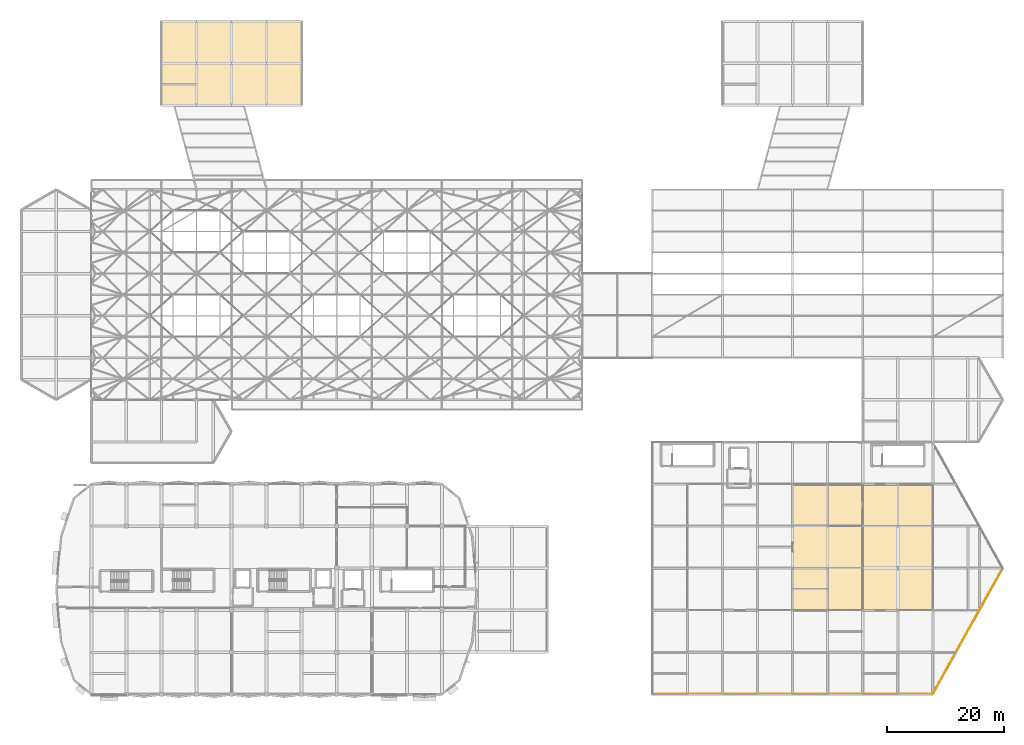
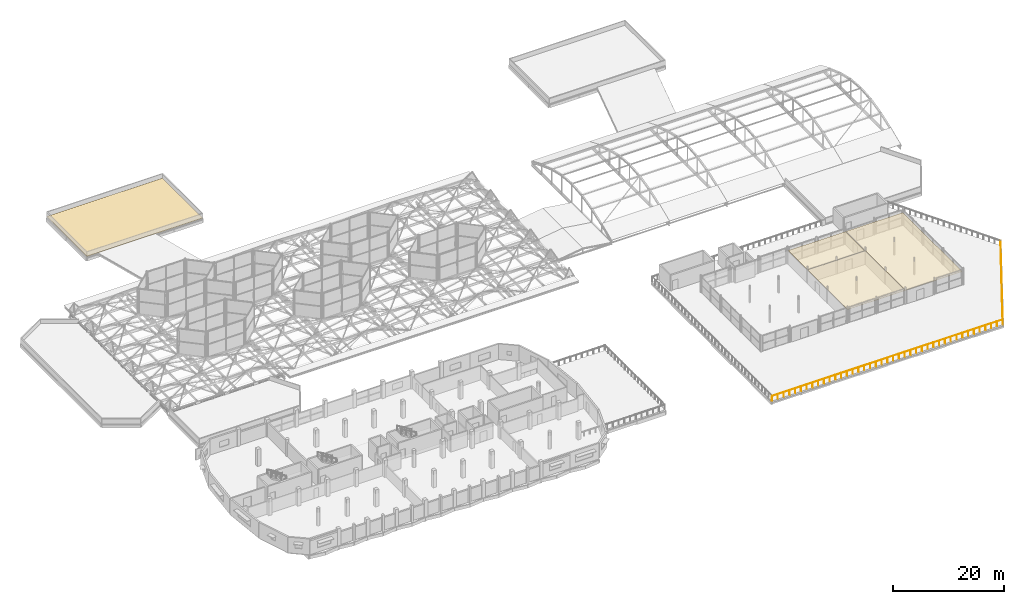
# One storey, part 238 of 239: 4 coverings, 2 railings.
"""IFC4 building model written with IfcOpenShell, lengths in metres."""

from ifc_helpers import new_model, si_unit, direction, frame, origin, origin_2d, place, context, subcontext, project, spatial, polyline, circle, outline, extrude, material, layer, layer_set, type_object, element, save


model = new_model("IFC4")

# Units and contexts
model_context = context("Model", 3, precision=1e-05, world=origin(), true_north=direction((0.0, 1.0)))
body_context = subcontext(model_context, "Body", "Model", "MODEL_VIEW")
ifc_project = project(units=[si_unit("LENGTHUNIT", "METRE"), si_unit("AREAUNIT", "SQUARE_METRE"), si_unit("VOLUMEUNIT", "CUBIC_METRE"), si_unit("PLANEANGLEUNIT", "RADIAN"), si_unit("MASSUNIT", "GRAM", prefix="KILO")], contexts=[model_context])

# Site, building, storey
site_placement = place(None, origin())
site = spatial("IfcSite", under=ifc_project, at=site_placement, CompositionType="ELEMENT")
building_placement = place(site_placement, origin())
building = spatial("IfcBuilding", under=site, at=building_placement, Name="Dunvalen Ferry Terminal", CompositionType="ELEMENT")
storey_placement = place(building_placement, frame((0.0, 0.0, 9.840087890625)))
storey = spatial("IfcBuildingStorey", under=building, at=storey_placement, Name="L02", CompositionType="ELEMENT", Elevation=9.840087890625)

# Covering
ifc_material_1 = material(Name="Standing-seam marine aluminium roofing", Category="aluminium")
ifc_layer_1 = layer(ifc_material_1, 0.080078125, Name="Standing-seam marine aluminium roofing")
ifc_layer_set_1 = layer_set([ifc_layer_1], Name="Standing-seam marine aluminium roofing")
covering_type_1 = type_object("IfcCoveringType", Name="ENV-COV-RFG01", PredefinedType="ROOFING", material=ifc_layer_set_1)
covering_1_placement = place(storey_placement, origin())
element("IfcCovering", 1, at=covering_1_placement, inside=storey, type_object=covering_type_1, Name="L02 Berth Pavilion 1 Standing-Seam Roof", PredefinedType="ROOFING", context=body_context, shape_type="SweptSolid", body=[
    extrude(outline(polyline([(24.0, 100.800048828125), (48.0, 100.800048828125), (48.0, 115.199951171875), (24.0, 115.199951171875), (24.0, 100.800048828125)])), origin(), (0.0, 0.0, 1.0), 0.079833984375),
])

# Railings
ifc_material_2 = material(Name="Marine grade 316 stainless steel", Category="steel")
railing_type = type_object("IfcRailingType", Name="ENV-RL-BAL112", PredefinedType="BALUSTRADE", material=ifc_material_2)
railing_1_placement = place(storey_placement, frame((108.050048828125, 0.050048828125, 0.0)))
element("IfcRailing", 2, at=railing_1_placement, inside=storey, type_object=railing_type, Name="L02 Outdoor Terrace Safety Guard GRD-PROM-S", PredefinedType="BALUSTRADE", context=body_context, shape_type="SweptSolid", body=[
    extrude(circle(Radius=0.02392578125, at=origin_2d()), frame((0.0, 0.0, 1.09619140625), z_axis=(1.0, 0.0, 0.0), x_axis=(0.0, 1.0, 0.0)), (0.0, 0.0, 1.0), 47.869873046875),
    extrude(circle(Radius=0.02099609375, at=origin_2d()), origin(), (0.0, 0.0, 1.0), 1.072021484375),
    extrude(circle(Radius=0.02099609375, at=origin_2d()), frame((1.19677734375, 0.0, 0.0)), (0.0, 0.0, 1.0), 1.072021484375),
    extrude(circle(Radius=0.02099609375, at=origin_2d()), frame((2.3935546875, 0.0, 0.0)), (0.0, 0.0, 1.0), 1.072021484375),
    extrude(circle(Radius=0.02099609375, at=origin_2d()), frame((3.59033203125, 0.0, 0.0)), (0.0, 0.0, 1.0), 1.072021484375),
    extrude(circle(Radius=0.02099609375, at=origin_2d()), frame((4.787109375, 0.0, 0.0)), (0.0, 0.0, 1.0), 1.072021484375),
    extrude(circle(Radius=0.02099609375, at=origin_2d()), frame((5.983642578125, 0.0, 0.0)), (0.0, 0.0, 1.0), 1.072021484375),
    extrude(circle(Radius=0.02099609375, at=origin_2d()), frame((7.180419921875, 0.0, 0.0)), (0.0, 0.0, 1.0), 1.072021484375),
    extrude(circle(Radius=0.02099609375, at=origin_2d()), frame((8.377197265625, 0.0, 0.0)), (0.0, 0.0, 1.0), 1.072021484375),
    extrude(circle(Radius=0.02099609375, at=origin_2d()), frame((9.573974609375, 0.0, 0.0)), (0.0, 0.0, 1.0), 1.072021484375),
    extrude(circle(Radius=0.02099609375, at=origin_2d()), frame((10.770751953125, 0.0, 0.0)), (0.0, 0.0, 1.0), 1.072021484375),
    extrude(circle(Radius=0.02099609375, at=origin_2d()), frame((11.967529296875, 0.0, 0.0)), (0.0, 0.0, 1.0), 1.072021484375),
    extrude(circle(Radius=0.02099609375, at=origin_2d()), frame((13.164306640625, 0.0, 0.0)), (0.0, 0.0, 1.0), 1.072021484375),
    extrude(circle(Radius=0.02099609375, at=origin_2d()), frame((14.36083984375, 0.0, 0.0)), (0.0, 0.0, 1.0), 1.072021484375),
    extrude(circle(Radius=0.02099609375, at=origin_2d()), frame((15.5576171875, 0.0, 0.0)), (0.0, 0.0, 1.0), 1.072021484375),
    extrude(circle(Radius=0.02099609375, at=origin_2d()), frame((16.75439453125, 0.0, 0.0)), (0.0, 0.0, 1.0), 1.072021484375),
    extrude(circle(Radius=0.02099609375, at=origin_2d()), frame((17.951171875, 0.0, 0.0)), (0.0, 0.0, 1.0), 1.072021484375),
    extrude(circle(Radius=0.02099609375, at=origin_2d()), frame((19.14794921875, 0.0, 0.0)), (0.0, 0.0, 1.0), 1.072021484375),
    extrude(circle(Radius=0.02099609375, at=origin_2d()), frame((20.3447265625, 0.0, 0.0)), (0.0, 0.0, 1.0), 1.072021484375),
    extrude(circle(Radius=0.02099609375, at=origin_2d()), frame((21.54150390625, 0.0, 0.0)), (0.0, 0.0, 1.0), 1.072021484375),
    extrude(circle(Radius=0.02099609375, at=origin_2d()), frame((22.73828125, 0.0, 0.0)), (0.0, 0.0, 1.0), 1.072021484375),
    extrude(circle(Radius=0.02099609375, at=origin_2d()), frame((23.93505859375, 0.0, 0.0)), (0.0, 0.0, 1.0), 1.072021484375),
    extrude(circle(Radius=0.02099609375, at=origin_2d()), frame((25.131591796875, 0.0, 0.0)), (0.0, 0.0, 1.0), 1.072021484375),
    extrude(circle(Radius=0.02099609375, at=origin_2d()), frame((26.328369140625, 0.0, 0.0)), (0.0, 0.0, 1.0), 1.072021484375),
    extrude(circle(Radius=0.02099609375, at=origin_2d()), frame((27.525146484375, 0.0, 0.0)), (0.0, 0.0, 1.0), 1.072021484375),
    extrude(circle(Radius=0.02099609375, at=origin_2d()), frame((28.721923828125, 0.0, 0.0)), (0.0, 0.0, 1.0), 1.072021484375),
    extrude(circle(Radius=0.02099609375, at=origin_2d()), frame((29.918701171875, 0.0, 0.0)), (0.0, 0.0, 1.0), 1.072021484375),
    extrude(circle(Radius=0.02099609375, at=origin_2d()), frame((31.115478515625, 0.0, 0.0)), (0.0, 0.0, 1.0), 1.072021484375),
    extrude(circle(Radius=0.02099609375, at=origin_2d()), frame((32.312255859375, 0.0, 0.0)), (0.0, 0.0, 1.0), 1.072021484375),
    extrude(circle(Radius=0.02099609375, at=origin_2d()), frame((33.5087890625, 0.0, 0.0)), (0.0, 0.0, 1.0), 1.072021484375),
    extrude(circle(Radius=0.02099609375, at=origin_2d()), frame((34.70556640625, 0.0, 0.0)), (0.0, 0.0, 1.0), 1.072021484375),
    extrude(circle(Radius=0.02099609375, at=origin_2d()), frame((35.90234375, 0.0, 0.0)), (0.0, 0.0, 1.0), 1.072021484375),
    extrude(circle(Radius=0.02099609375, at=origin_2d()), frame((37.09912109375, 0.0, 0.0)), (0.0, 0.0, 1.0), 1.072021484375),
    extrude(circle(Radius=0.02099609375, at=origin_2d()), frame((38.2958984375, 0.0, 0.0)), (0.0, 0.0, 1.0), 1.072021484375),
    extrude(circle(Radius=0.02099609375, at=origin_2d()), frame((39.49267578125, 0.0, 0.0)), (0.0, 0.0, 1.0), 1.072021484375),
    extrude(circle(Radius=0.02099609375, at=origin_2d()), frame((40.689453125, 0.0, 0.0)), (0.0, 0.0, 1.0), 1.072021484375),
    extrude(circle(Radius=0.02099609375, at=origin_2d()), frame((41.88623046875, 0.0, 0.0)), (0.0, 0.0, 1.0), 1.072021484375),
    extrude(circle(Radius=0.02099609375, at=origin_2d()), frame((43.0830078125, 0.0, 0.0)), (0.0, 0.0, 1.0), 1.072021484375),
    extrude(circle(Radius=0.02099609375, at=origin_2d()), frame((44.279541015625, 0.0, 0.0)), (0.0, 0.0, 1.0), 1.072021484375),
    extrude(circle(Radius=0.02099609375, at=origin_2d()), frame((45.476318359375, 0.0, 0.0)), (0.0, 0.0, 1.0), 1.072021484375),
    extrude(circle(Radius=0.02099609375, at=origin_2d()), frame((46.673095703125, 0.0, 0.0)), (0.0, 0.0, 1.0), 1.072021484375),
    extrude(circle(Radius=0.02099609375, at=origin_2d()), frame((47.869873046875, 0.0, 0.0)), (0.0, 0.0, 1.0), 1.072021484375),
])
railing_2_placement = place(storey_placement, frame((155.919921875, 0.050048828125, 0.0)))
element("IfcRailing", 3, at=railing_2_placement, inside=storey, type_object=railing_type, Name="L02 Outdoor Terrace Safety Guard GRD-PROM-SE", PredefinedType="BALUSTRADE", context=body_context, shape_type="SweptSolid", body=[
    extrude(circle(Radius=0.02392578125, at=origin_2d()), frame((0.0, 0.0, 1.09619140625), z_axis=(0.485882518401, 0.874024129136, 0.0), x_axis=(-0.874024129136, 0.485882518401, 0.0)), (0.0, 0.0, 1.0), 24.656005859375),
    extrude(circle(Radius=0.02099609375, at=origin_2d()), origin(), (0.0, 0.0, 1.0), 1.072021484375),
    extrude(circle(Radius=0.02099609375, at=origin_2d()), frame((0.570556640625, 1.026123046875, 0.0)), (0.0, 0.0, 1.0), 1.072021484375),
    extrude(circle(Radius=0.02099609375, at=origin_2d()), frame((1.140869140625, 2.052490234375, 0.0)), (0.0, 0.0, 1.0), 1.072021484375),
    extrude(circle(Radius=0.02099609375, at=origin_2d()), frame((1.71142578125, 3.07861328125, 0.0)), (0.0, 0.0, 1.0), 1.072021484375),
    extrude(circle(Radius=0.02099609375, at=origin_2d()), frame((2.281982421875, 4.104736328125, 0.0)), (0.0, 0.0, 1.0), 1.072021484375),
    extrude(circle(Radius=0.02099609375, at=origin_2d()), frame((2.852294921875, 5.130859375, 0.0)), (0.0, 0.0, 1.0), 1.072021484375),
    extrude(circle(Radius=0.02099609375, at=origin_2d()), frame((3.4228515625, 6.1572265625, 0.0)), (0.0, 0.0, 1.0), 1.072021484375),
    extrude(circle(Radius=0.02099609375, at=origin_2d()), frame((3.993408203125, 7.183349609375, 0.0)), (0.0, 0.0, 1.0), 1.072021484375),
    extrude(circle(Radius=0.02099609375, at=origin_2d()), frame((4.563720703125, 8.20947265625, 0.0)), (0.0, 0.0, 1.0), 1.072021484375),
    extrude(circle(Radius=0.02099609375, at=origin_2d()), frame((5.13427734375, 9.23583984375, 0.0)), (0.0, 0.0, 1.0), 1.072021484375),
    extrude(circle(Radius=0.02099609375, at=origin_2d()), frame((5.704833984375, 10.261962890625, 0.0)), (0.0, 0.0, 1.0), 1.072021484375),
    extrude(circle(Radius=0.02099609375, at=origin_2d()), frame((6.275146484375, 11.2880859375, 0.0)), (0.0, 0.0, 1.0), 1.072021484375),
    extrude(circle(Radius=0.02099609375, at=origin_2d()), frame((6.845703125, 12.314208984375, 0.0)), (0.0, 0.0, 1.0), 1.072021484375),
    extrude(circle(Radius=0.02099609375, at=origin_2d()), frame((7.416259765625, 13.340576171875, 0.0)), (0.0, 0.0, 1.0), 1.072021484375),
    extrude(circle(Radius=0.02099609375, at=origin_2d()), frame((7.986572265625, 14.36669921875, 0.0)), (0.0, 0.0, 1.0), 1.072021484375),
    extrude(circle(Radius=0.02099609375, at=origin_2d()), frame((8.55712890625, 15.392822265625, 0.0)), (0.0, 0.0, 1.0), 1.072021484375),
    extrude(circle(Radius=0.02099609375, at=origin_2d()), frame((9.127685546875, 16.419189453125, 0.0)), (0.0, 0.0, 1.0), 1.072021484375),
    extrude(circle(Radius=0.02099609375, at=origin_2d()), frame((9.697998046875, 17.4453125, 0.0)), (0.0, 0.0, 1.0), 1.072021484375),
    extrude(circle(Radius=0.02099609375, at=origin_2d()), frame((10.2685546875, 18.471435546875, 0.0)), (0.0, 0.0, 1.0), 1.072021484375),
    extrude(circle(Radius=0.02099609375, at=origin_2d()), frame((10.839111328125, 19.49755859375, 0.0)), (0.0, 0.0, 1.0), 1.072021484375),
    extrude(circle(Radius=0.02099609375, at=origin_2d()), frame((11.409423828125, 20.52392578125, 0.0)), (0.0, 0.0, 1.0), 1.072021484375),
    extrude(circle(Radius=0.02099609375, at=origin_2d()), frame((11.97998046875, 21.550048828125, 0.0)), (0.0, 0.0, 1.0), 1.072021484375),
])

# Coverings
ifc_material_3 = material(Name="Perforated marine aluminium acoustic baffle ceiling", Category="aluminium")
ifc_layer_2 = layer(ifc_material_3, 0.0400390625, Name="Perforated marine aluminium acoustic baffle ceiling")
ifc_layer_set_2 = layer_set([ifc_layer_2], Name="Perforated marine aluminium acoustic baffle ceiling")
covering_type_2 = type_object("IfcCoveringType", Name="INT-COV-CLG01", PredefinedType="CEILING", material=ifc_layer_set_2)
covering_2_placement = place(storey_placement, frame((0.0, 0.0, 2.809814453125)))
element("IfcCovering", 4, at=covering_2_placement, inside=storey, type_object=covering_type_2, Name="L02 Community Maritime Heritage Exhibition Gallery Acoustic Suspended Ceiling", PredefinedType="CEILING", context=body_context, shape_type="SweptSolid", body=[
    extrude(outline(polyline([(144.044189453125, 28.84423828125), (144.070068359375, 28.781982421875), (144.070068359375, 14.530029296875), (155.8701171875, 14.530029296875), (155.8701171875, 35.8701171875), (143.909912109375, 35.8701171875), (143.909912109375, 28.89990234375), (144.044189453125, 28.84423828125)])), origin(), (0.0, 0.0, 1.0), 0.0400390625),
])
ifc_material_4 = material(Name="Moisture-resistant mineral-fibre acoustic ceiling", Category="gypsum")
ifc_layer_3 = layer(ifc_material_4, 0.050048828125, Name="Moisture-resistant mineral-fibre acoustic ceiling")
ifc_layer_set_3 = layer_set([ifc_layer_3], Name="Moisture-resistant mineral-fibre acoustic ceiling")
covering_type_3 = type_object("IfcCoveringType", Name="INT-COV-CLG02", PredefinedType="CEILING", material=ifc_layer_set_3)
covering_3_placement = place(storey_placement, frame((0.0, 0.0, 2.7998046875)))
element("IfcCovering", 5, at=covering_3_placement, inside=storey, type_object=covering_type_3, Name="L02 Maritime Travel Retail and Bookshop Acoustic Suspended Ceiling", PredefinedType="CEILING", context=body_context, shape_type="SweptSolid", body=[
    extrude(outline(polyline([(144.090087890625, 28.889892578125), (132.070068359375, 28.889892578125), (132.070068359375, 14.530029296875), (144.090087890625, 14.530029296875), (144.090087890625, 28.889892578125)])), origin(), (0.0, 0.0, 1.0), 0.050048828125),
])
covering_4_placement = place(storey_placement, frame((0.0, 0.0, 2.7998046875)))
element("IfcCovering", 6, at=covering_4_placement, inside=storey, type_object=covering_type_3, Name="L02 Promenade Pavilion Public and Accessible Toilets Acoustic Suspended Ceiling", PredefinedType="CEILING", context=body_context, shape_type="SweptSolid", body=[
    extrude(outline(polyline([(143.929931640625, 35.8701171875), (132.070068359375, 35.8701171875), (132.070068359375, 28.8701171875), (143.929931640625, 28.8701171875), (143.929931640625, 35.8701171875)])), origin(), (0.0, 0.0, 1.0), 0.050048828125),
])

save(model, "model.ifc")
